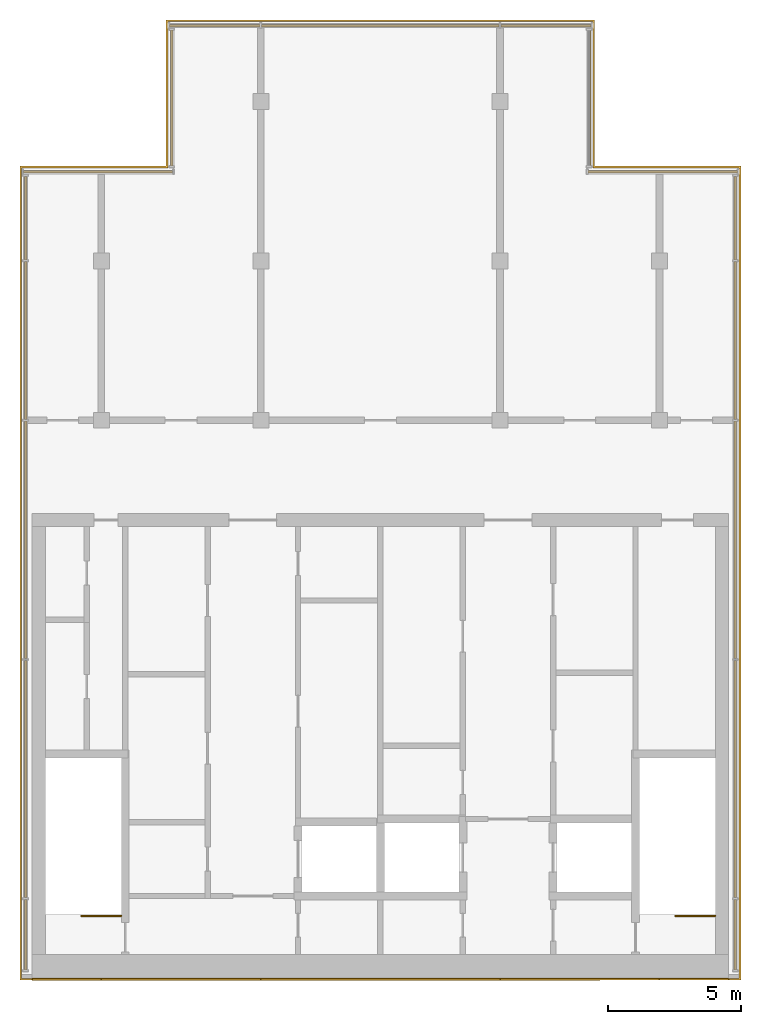
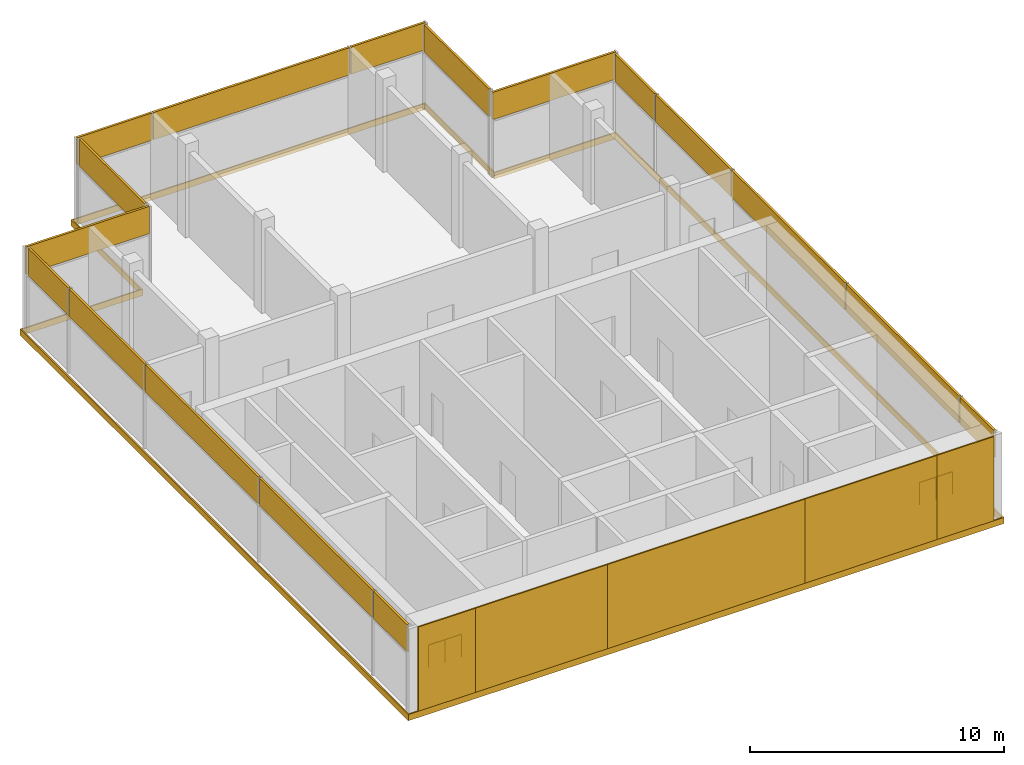
# One storey, part 4 of 4: 17 shading devices, 6 coverings, 2 railings, 7 elements without a shape of their own.
"""IFC4 building model written with IfcOpenShell, lengths in metres."""

from ifc_helpers import new_model, si_unit, direction, frame, origin, origin_2d, place, context, subcontext, project, spatial, polyline, rectangle, circle, outline, extrude, material, layer, layer_set, type_object, element, aggregate, save


model = new_model("IFC4")

# Units and contexts
model_context = context("Model", 3, precision=1e-05, world=origin(), true_north=direction((0.0, 1.0)))
body_context = subcontext(model_context, "Body", "Model", "MODEL_VIEW")
ifc_project = project(units=[si_unit("LENGTHUNIT", "METRE"), si_unit("AREAUNIT", "SQUARE_METRE"), si_unit("VOLUMEUNIT", "CUBIC_METRE"), si_unit("PLANEANGLEUNIT", "RADIAN"), si_unit("MASSUNIT", "GRAM", prefix="KILO")], contexts=[model_context])

# Site, building, storey
site_placement = place(None, origin())
site = spatial("IfcSite", under=ifc_project, at=site_placement, CompositionType="ELEMENT")
building_placement = place(site_placement, origin())
building = spatial("IfcBuilding", under=site, at=building_placement, Name="Finial Court Residences", CompositionType="ELEMENT")
storey_placement = place(building_placement, frame((0.0, 0.0, 321.199951171875)))
storey = spatial("IfcBuildingStorey", under=building, at=storey_placement, Name="L81", CompositionType="ELEMENT", Elevation=321.199951171875)

# Curtain wall, shading devices
ifc_material_1 = material(Name="Bronze anodised aluminium", Category="aluminium")
curtain_wall_type = type_object("IfcCurtainWallType", Name="Crown lantern glazing", PredefinedType="NOTDEFINED", material=ifc_material_1)
curtain_wall_1_placement = place(storey_placement, origin())
curtain_wall_1 = element("IfcCurtainWall", 1, at=curtain_wall_1_placement, inside=storey, type_object=curtain_wall_type, Name="E-L81-CW-N3", PredefinedType="NOTDEFINED")
ifc_layer_1 = layer(ifc_material_1, 0.10009765625)
ifc_layer_set_1 = layer_set([ifc_layer_1], Name="CW6 louvre panel 100")
shading_device_type = type_object("IfcShadingDeviceType", Name="CW6 louvre panel 100", PredefinedType="USERDEFINED", material=ifc_layer_set_1)
shading_device_1_placement = place(storey_placement, frame((-6.232421875, 10.35009765625, 2.735107421875), z_axis=(0.0, 0.0, 1.0), x_axis=(1.0, 0.0, 0.0)))
shading_device_1 = element("IfcShadingDevice", 2, at=shading_device_1_placement, type_object=shading_device_type, Name="CW6 louvre 1.2", ObjectType="LOUVRE", PredefinedType="USERDEFINED", context=body_context, shape_type="SweptSolid", body=[
    extrude(rectangle(XDim=3.39501953125, YDim=0.10009765625, at=origin_2d()), origin(), (0.0, 0.0, 1.0), 1.31494140625),
])
shading_device_2_placement = place(storey_placement, frame((0.0, 10.35009765625, 2.735107421875), z_axis=(0.0, 0.0, 1.0), x_axis=(1.0, 0.0, 0.0)))
shading_device_2 = element("IfcShadingDevice", 3, at=shading_device_2_placement, type_object=shading_device_type, Name="CW6 louvre 2.2", ObjectType="LOUVRE", PredefinedType="USERDEFINED", context=body_context, shape_type="SweptSolid", body=[
    extrude(rectangle(XDim=8.929931640625, YDim=0.10009765625, at=origin_2d()), origin(), (0.0, 0.0, 1.0), 1.31494140625),
])
shading_device_3_placement = place(storey_placement, frame((6.232421875, 10.35009765625, 2.735107421875), z_axis=(0.0, 0.0, 1.0), x_axis=(1.0, 0.0, 0.0)))
shading_device_3 = element("IfcShadingDevice", 4, at=shading_device_3_placement, type_object=shading_device_type, Name="CW6 louvre 3.2", ObjectType="LOUVRE", PredefinedType="USERDEFINED", context=body_context, shape_type="SweptSolid", body=[
    extrude(rectangle(XDim=3.39501953125, YDim=0.10009765625, at=origin_2d()), origin(), (0.0, 0.0, 1.0), 1.31494140625),
])
aggregate(curtain_wall_1, [shading_device_1, shading_device_2, shading_device_3])

curtain_wall_2_placement = place(storey_placement, origin())
curtain_wall_2 = element("IfcCurtainWall", 5, at=curtain_wall_2_placement, inside=storey, type_object=curtain_wall_type, Name="E-L81-CW-E4", PredefinedType="NOTDEFINED")
shading_device_4_placement = place(storey_placement, frame((13.35009765625, -23.857421875, 2.735107421875), z_axis=(0.0, 0.0, 1.0), x_axis=(0.0, 1.0, 0.0)))
shading_device_4 = element("IfcShadingDevice", 6, at=shading_device_4_placement, type_object=shading_device_type, Name="CW6 louvre 1.2", ObjectType="LOUVRE", PredefinedType="USERDEFINED", context=body_context, shape_type="SweptSolid", body=[
    extrude(rectangle(XDim=2.64501953125, YDim=0.10009765625, at=origin_2d()), origin(), (0.0, 0.0, 1.0), 1.31494140625),
])
shading_device_5_placement = place(storey_placement, frame((13.35009765625, -18.0, 2.735107421875), z_axis=(0.0, 0.0, 1.0), x_axis=(0.0, 1.0, 0.0)))
shading_device_5 = element("IfcShadingDevice", 7, at=shading_device_5_placement, type_object=shading_device_type, Name="CW6 louvre 2.2", ObjectType="LOUVRE", PredefinedType="USERDEFINED", context=body_context, shape_type="SweptSolid", body=[
    extrude(rectangle(XDim=8.929931640625, YDim=0.10009765625, at=origin_2d()), origin(), (0.0, 0.0, 1.0), 1.31494140625),
])
shading_device_6_placement = place(storey_placement, frame((13.35009765625, -9.0, 2.735107421875), z_axis=(0.0, 0.0, 1.0), x_axis=(0.0, 1.0, 0.0)))
shading_device_6 = element("IfcShadingDevice", 8, at=shading_device_6_placement, type_object=shading_device_type, Name="CW6 louvre 3.2", ObjectType="LOUVRE", PredefinedType="USERDEFINED", context=body_context, shape_type="SweptSolid", body=[
    extrude(rectangle(XDim=8.929931640625, YDim=0.10009765625, at=origin_2d()), origin(), (0.0, 0.0, 1.0), 1.31494140625),
])
shading_device_7_placement = place(storey_placement, frame((13.35009765625, -1.5, 2.735107421875), z_axis=(0.0, 0.0, 1.0), x_axis=(0.0, 1.0, 0.0)))
shading_device_7 = element("IfcShadingDevice", 9, at=shading_device_7_placement, type_object=shading_device_type, Name="CW6 louvre 4.2", ObjectType="LOUVRE", PredefinedType="USERDEFINED", context=body_context, shape_type="SweptSolid", body=[
    extrude(rectangle(XDim=5.929931640625, YDim=0.10009765625, at=origin_2d()), origin(), (0.0, 0.0, 1.0), 1.31494140625),
])
shading_device_8_placement = place(storey_placement, frame((13.35009765625, 3.107421875, 2.735107421875), z_axis=(0.0, 0.0, 1.0), x_axis=(0.0, 1.0, 0.0)))
shading_device_8 = element("IfcShadingDevice", 10, at=shading_device_8_placement, type_object=shading_device_type, Name="CW6 louvre 5.2", ObjectType="LOUVRE", PredefinedType="USERDEFINED", context=body_context, shape_type="SweptSolid", body=[
    extrude(rectangle(XDim=3.14501953125, YDim=0.10009765625, at=origin_2d()), origin(), (0.0, 0.0, 1.0), 1.31494140625),
])
aggregate(curtain_wall_2, [shading_device_4, shading_device_5, shading_device_6, shading_device_7, shading_device_8])

curtain_wall_3_placement = place(storey_placement, origin())
curtain_wall_3 = element("IfcCurtainWall", 11, at=curtain_wall_3_placement, inside=storey, type_object=curtain_wall_type, Name="E-L81-CW-W5", PredefinedType="NOTDEFINED")
shading_device_9_placement = place(storey_placement, frame((-13.35009765625, -23.857421875, 2.735107421875), z_axis=(0.0, 0.0, 1.0), x_axis=(0.0, 1.0, 0.0)))
shading_device_9 = element("IfcShadingDevice", 12, at=shading_device_9_placement, type_object=shading_device_type, Name="CW6 louvre 1.2", ObjectType="LOUVRE", PredefinedType="USERDEFINED", context=body_context, shape_type="SweptSolid", body=[
    extrude(rectangle(XDim=2.64501953125, YDim=0.10009765625, at=origin_2d()), origin(), (0.0, 0.0, 1.0), 1.31494140625),
])
shading_device_10_placement = place(storey_placement, frame((-13.35009765625, -18.0, 2.735107421875), z_axis=(0.0, 0.0, 1.0), x_axis=(0.0, 1.0, 0.0)))
shading_device_10 = element("IfcShadingDevice", 13, at=shading_device_10_placement, type_object=shading_device_type, Name="CW6 louvre 2.2", ObjectType="LOUVRE", PredefinedType="USERDEFINED", context=body_context, shape_type="SweptSolid", body=[
    extrude(rectangle(XDim=8.929931640625, YDim=0.10009765625, at=origin_2d()), origin(), (0.0, 0.0, 1.0), 1.31494140625),
])
shading_device_11_placement = place(storey_placement, frame((-13.35009765625, -9.0, 2.735107421875), z_axis=(0.0, 0.0, 1.0), x_axis=(0.0, 1.0, 0.0)))
shading_device_11 = element("IfcShadingDevice", 14, at=shading_device_11_placement, type_object=shading_device_type, Name="CW6 louvre 3.2", ObjectType="LOUVRE", PredefinedType="USERDEFINED", context=body_context, shape_type="SweptSolid", body=[
    extrude(rectangle(XDim=8.929931640625, YDim=0.10009765625, at=origin_2d()), origin(), (0.0, 0.0, 1.0), 1.31494140625),
])
shading_device_12_placement = place(storey_placement, frame((-13.35009765625, -1.5, 2.735107421875), z_axis=(0.0, 0.0, 1.0), x_axis=(0.0, 1.0, 0.0)))
shading_device_12 = element("IfcShadingDevice", 15, at=shading_device_12_placement, type_object=shading_device_type, Name="CW6 louvre 4.2", ObjectType="LOUVRE", PredefinedType="USERDEFINED", context=body_context, shape_type="SweptSolid", body=[
    extrude(rectangle(XDim=5.929931640625, YDim=0.10009765625, at=origin_2d()), origin(), (0.0, 0.0, 1.0), 1.31494140625),
])
shading_device_13_placement = place(storey_placement, frame((-13.35009765625, 3.107421875, 2.735107421875), z_axis=(0.0, 0.0, 1.0), x_axis=(0.0, 1.0, 0.0)))
shading_device_13 = element("IfcShadingDevice", 16, at=shading_device_13_placement, type_object=shading_device_type, Name="CW6 louvre 5.2", ObjectType="LOUVRE", PredefinedType="USERDEFINED", context=body_context, shape_type="SweptSolid", body=[
    extrude(rectangle(XDim=3.14501953125, YDim=0.10009765625, at=origin_2d()), origin(), (0.0, 0.0, 1.0), 1.31494140625),
])
aggregate(curtain_wall_3, [shading_device_9, shading_device_10, shading_device_11, shading_device_12, shading_device_13])

# Curtain wall, shading device
curtain_wall_4_placement = place(storey_placement, origin())
curtain_wall_4 = element("IfcCurtainWall", 17, at=curtain_wall_4_placement, inside=storey, type_object=curtain_wall_type, Name="E-L81-CW-W6n", PredefinedType="NOTDEFINED")
shading_device_14_placement = place(storey_placement, frame((-7.85009765625, 7.625, 2.735107421875), z_axis=(0.0, 0.0, 1.0), x_axis=(0.0, 1.0, 0.0)))
shading_device_14 = element("IfcShadingDevice", 18, at=shading_device_14_placement, type_object=shading_device_type, Name="CW6 louvre 1.2", ObjectType="LOUVRE", PredefinedType="USERDEFINED", context=body_context, shape_type="SweptSolid", body=[
    extrude(rectangle(XDim=5.110107421875, YDim=0.10009765625, at=origin_2d()), origin(), (0.0, 0.0, 1.0), 1.31494140625),
])
aggregate(curtain_wall_4, [shading_device_14])

curtain_wall_5_placement = place(storey_placement, origin())
curtain_wall_5 = element("IfcCurtainWall", 19, at=curtain_wall_5_placement, inside=storey, type_object=curtain_wall_type, Name="E-L81-CW-N7n", PredefinedType="NOTDEFINED")
shading_device_15_placement = place(storey_placement, frame((-10.625, 4.85009765625, 2.735107421875), z_axis=(0.0, 0.0, 1.0), x_axis=(1.0, 0.0, 0.0)))
shading_device_15 = element("IfcShadingDevice", 20, at=shading_device_15_placement, type_object=shading_device_type, Name="CW6 louvre 1.2", ObjectType="LOUVRE", PredefinedType="USERDEFINED", context=body_context, shape_type="SweptSolid", body=[
    extrude(rectangle(XDim=5.610107421875, YDim=0.10009765625, at=origin_2d()), origin(), (0.0, 0.0, 1.0), 1.31494140625),
])
aggregate(curtain_wall_5, [shading_device_15])

curtain_wall_6_placement = place(storey_placement, origin())
curtain_wall_6 = element("IfcCurtainWall", 21, at=curtain_wall_6_placement, inside=storey, type_object=curtain_wall_type, Name="E-L81-CW-E8n", PredefinedType="NOTDEFINED")
shading_device_16_placement = place(storey_placement, frame((7.85009765625, 7.625, 2.735107421875), z_axis=(0.0, 0.0, 1.0), x_axis=(0.0, 1.0, 0.0)))
shading_device_16 = element("IfcShadingDevice", 22, at=shading_device_16_placement, type_object=shading_device_type, Name="CW6 louvre 1.2", ObjectType="LOUVRE", PredefinedType="USERDEFINED", context=body_context, shape_type="SweptSolid", body=[
    extrude(rectangle(XDim=5.110107421875, YDim=0.10009765625, at=origin_2d()), origin(), (0.0, 0.0, 1.0), 1.31494140625),
])
aggregate(curtain_wall_6, [shading_device_16])

curtain_wall_7_placement = place(storey_placement, origin())
curtain_wall_7 = element("IfcCurtainWall", 23, at=curtain_wall_7_placement, inside=storey, type_object=curtain_wall_type, Name="E-L81-CW-N9n", PredefinedType="NOTDEFINED")
shading_device_17_placement = place(storey_placement, frame((10.625, 4.85009765625, 2.735107421875), z_axis=(0.0, 0.0, 1.0), x_axis=(1.0, 0.0, 0.0)))
shading_device_17 = element("IfcShadingDevice", 24, at=shading_device_17_placement, type_object=shading_device_type, Name="CW6 louvre 1.2", ObjectType="LOUVRE", PredefinedType="USERDEFINED", context=body_context, shape_type="SweptSolid", body=[
    extrude(rectangle(XDim=5.610107421875, YDim=0.10009765625, at=origin_2d()), origin(), (0.0, 0.0, 1.0), 1.31494140625),
])
aggregate(curtain_wall_7, [shading_device_17])

# Coverings
ifc_material_2 = material(Name="Natural limestone", Category="masonry")
ifc_layer_2 = layer(ifc_material_2, 0.06005859375)
ifc_layer_set_2 = layer_set([ifc_layer_2], Name="Limestone cladding to the blind core face 60")
covering_type_1 = type_object("IfcCoveringType", Name="Limestone cladding to the blind core face 60", PredefinedType="CLADDING", material=ifc_layer_set_2)
covering_1_placement = place(storey_placement, origin())
element("IfcCovering", 25, at=covering_1_placement, inside=storey, type_object=covering_type_1, Name="E-L81-CLAD1", PredefinedType="CLADDING", context=body_context, shape_type="SweptSolid", body=[
    extrude(outline(polyline([(-10.5, -25.56005859375), (-10.5, -25.5), (-13.10009765625, -25.5), (-13.10009765625, -25.56005859375), (-10.5, -25.56005859375)])), origin(), (0.0, 0.0, 1.0), 4.050048828125),
])
covering_2_placement = place(storey_placement, origin())
element("IfcCovering", 26, at=covering_2_placement, inside=storey, type_object=covering_type_1, Name="E-L81-CLAD2", PredefinedType="CLADDING", context=body_context, shape_type="SweptSolid", body=[
    extrude(outline(polyline([(-4.5, -25.56005859375), (-4.5, -25.5), (-10.5, -25.5), (-10.5, -25.56005859375), (-4.5, -25.56005859375)])), origin(), (0.0, 0.0, 1.0), 4.050048828125),
])
covering_3_placement = place(storey_placement, origin())
element("IfcCovering", 27, at=covering_3_placement, inside=storey, type_object=covering_type_1, Name="E-L81-CLAD3", PredefinedType="CLADDING", context=body_context, shape_type="SweptSolid", body=[
    extrude(outline(polyline([(4.5, -25.56005859375), (4.5, -25.5), (-4.5, -25.5), (-4.5, -25.56005859375), (4.5, -25.56005859375)])), origin(), (0.0, 0.0, 1.0), 4.050048828125),
])
covering_4_placement = place(storey_placement, origin())
element("IfcCovering", 28, at=covering_4_placement, inside=storey, type_object=covering_type_1, Name="E-L81-CLAD4", PredefinedType="CLADDING", context=body_context, shape_type="SweptSolid", body=[
    extrude(outline(polyline([(10.5, -25.56005859375), (10.5, -25.5), (4.5, -25.5), (4.5, -25.56005859375), (10.5, -25.56005859375)])), origin(), (0.0, 0.0, 1.0), 4.050048828125),
])
covering_5_placement = place(storey_placement, origin())
element("IfcCovering", 29, at=covering_5_placement, inside=storey, type_object=covering_type_1, Name="E-L81-CLAD5", PredefinedType="CLADDING", context=body_context, shape_type="SweptSolid", body=[
    extrude(outline(polyline([(13.10009765625, -25.56005859375), (13.10009765625, -25.5), (10.5, -25.5), (10.5, -25.56005859375), (13.10009765625, -25.56005859375)])), origin(), (0.0, 0.0, 1.0), 4.050048828125),
])
ifc_material_3 = material(Name="Pale limestone", Category="masonry")
ifc_layer_3 = layer(ifc_material_3, 0.06005859375)
ifc_layer_set_3 = layer_set([ifc_layer_3], Name="Pale limestone slab-edge band 60")
covering_type_2 = type_object("IfcCoveringType", Name="Pale limestone slab-edge band 60", PredefinedType="CLADDING", material=ifc_layer_set_3)
covering_6_placement = place(storey_placement, frame((0.0, 0.0, -0.300048828125)))
element("IfcCovering", 30, at=covering_6_placement, inside=storey, type_object=covering_type_2, Name="E-L81-BAND1", PredefinedType="CLADDING", context=body_context, shape_type="SweptSolid", body=[
    extrude(outline(polyline([(-13.56005859375, -25.56005859375), (-13.56005859375, 5.06005859375), (-8.06005859375, 5.06005859375), (-8.06005859375, 10.56005859375), (8.06005859375, 10.56005859375), (8.06005859375, 5.06005859375), (13.56005859375, 5.06005859375), (13.56005859375, -25.56005859375), (-13.56005859375, -25.56005859375)]), holes=[polyline([(13.5, 5.0), (8.0, 5.0), (8.0, 10.5), (-8.0, 10.5), (-8.0, 5.0), (-13.5, 5.0), (-13.5, -25.5), (13.5, -25.5), (13.5, 5.0)])]), origin(), (0.0, 0.0, 1.0), 0.300048828125),
])

# Railings
ifc_material_4 = material(Name="Stainless steel railing", Category="steel")
railing_type = type_object("IfcRailingType", Name="Stair guard 1100", PredefinedType="GUARDRAIL", material=ifc_material_4)
for number, where, name in (
    (31, (-9.75, -23.14990234375, 0.0), "L81 ST-1 top well guard 1"),
    (32, (12.60009765625, -23.14990234375, 0.0), "L81 ST-2 top well guard 1"),
):
    element("IfcRailing", number, at=place(storey_placement, frame(where)), inside=storey, type_object=railing_type, Name=name, PredefinedType="GUARDRAIL", context=body_context, shape_type="SweptSolid", body=[
        extrude(circle(Radius=0.02392578125, at=origin_2d()), frame((0.0, 0.0, 1.076171875), z_axis=(-1.0, 0.0, 0.0), x_axis=(0.0, -1.0, 0.0)), (0.0, 0.0, 1.0), 1.5),
        extrude(circle(Radius=0.02099609375, at=origin_2d()), origin(), (0.0, 0.0, 1.0), 1.052001953125),
        extrude(circle(Radius=0.02099609375, at=origin_2d()), frame((-0.75, 0.0, 0.0)), (0.0, 0.0, 1.0), 1.052001953125),
        extrude(circle(Radius=0.02099609375, at=origin_2d()), frame((-1.5, 0.0, 0.0)), (0.0, 0.0, 1.0), 1.052001953125),
    ])

save(model, "model.ifc")
